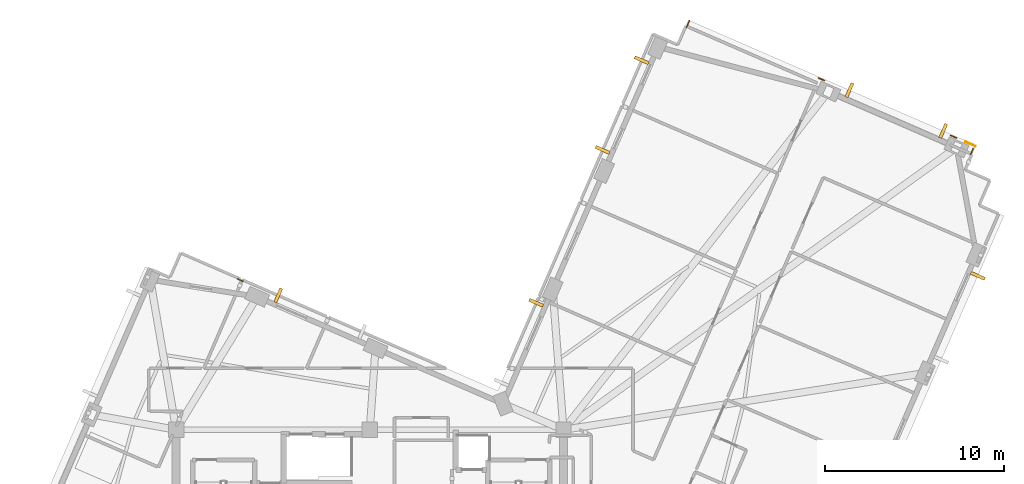
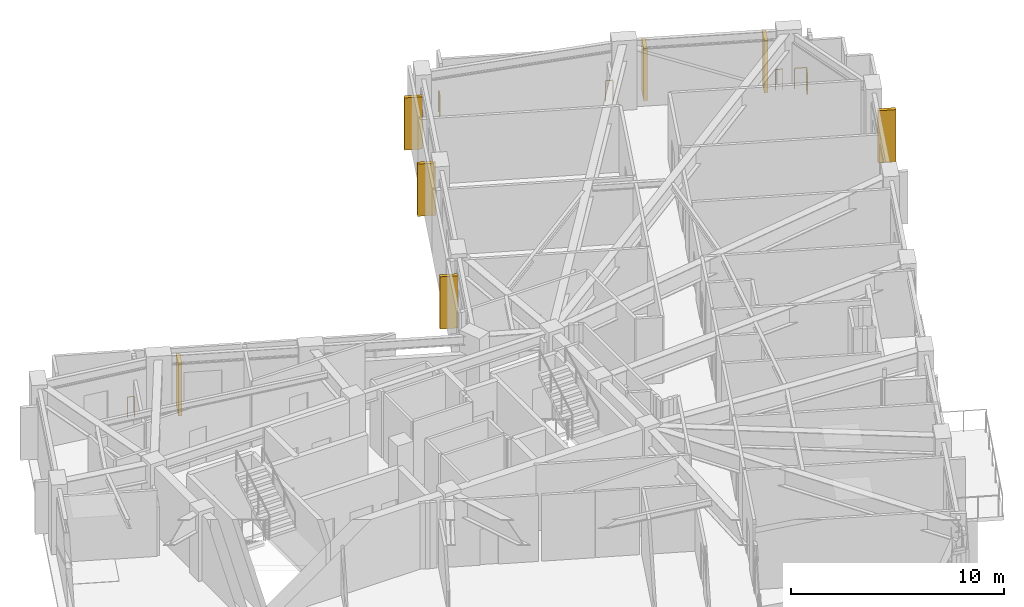
# One storey, part 12 of 12: 7 shading devices, 6 railings.
"""IFC4 building model written with IfcOpenShell, lengths in metres."""

from ifc_helpers import new_model, si_unit, direction, frame, origin, origin_2d, place, context, subcontext, project, spatial, rectangle, circle, extrude, material, layer, layer_set, type_object, element, save


model = new_model("IFC4")

# Units and contexts
model_context = context("Model", 3, precision=1e-05, world=origin(), true_north=direction((0.0, 1.0)))
body_context = subcontext(model_context, "Body", "Model", "MODEL_VIEW")
ifc_project = project(units=[si_unit("LENGTHUNIT", "METRE"), si_unit("AREAUNIT", "SQUARE_METRE"), si_unit("VOLUMEUNIT", "CUBIC_METRE"), si_unit("PLANEANGLEUNIT", "RADIAN"), si_unit("MASSUNIT", "GRAM", prefix="KILO")], contexts=[model_context])

# Site, building, storey
site_placement = place(None, origin())
site = spatial("IfcSite", under=ifc_project, at=site_placement, CompositionType="ELEMENT")
building_placement = place(site_placement, origin())
building = spatial("IfcBuilding", under=site, at=building_placement, Name="Gaonmaruhae Medical Tower", CompositionType="ELEMENT")
storey_placement = place(building_placement, frame((0.0, 0.0, 320.60009765625)))
storey = spatial("IfcBuildingStorey", under=building, at=storey_placement, Name="L77", CompositionType="ELEMENT", Elevation=320.60009765625)

# Railings
ifc_material_1 = material(Name="Stainless steel 316L and laminated safety glass", Category="steel")
ifc_layer = layer(ifc_material_1, 0.080078125)
ifc_layer_set = layer_set([ifc_layer], Name="Stainless steel 316L and laminated safety glass")
railing_type = type_object("IfcRailingType", Name="GD-120 Outdoor Terrace Safety Glass & Steel Balustrade", PredefinedType="BALUSTRADE", material=ifc_layer_set)
railing_1_placement = place(storey_placement, frame((17.418212890625, 25.217041015625, 0.0)))
element("IfcRailing", 1, at=railing_1_placement, inside=storey, type_object=railing_type, Name="L77 Perimeter Slab Edge Safety Balustrade 07", PredefinedType="BALUSTRADE", context=body_context, shape_type="SweptSolid", body=[
    extrude(circle(Radius=0.02392578125, at=origin_2d()), frame((0.0, 0.0, 1.17578125), z_axis=(0.917196011986, -0.398436288003, 0.0), x_axis=(0.398436288003, 0.917196011986, 0.0)), (0.0, 0.0, 1.0), 0.3388671875),
    extrude(circle(Radius=0.02099609375, at=origin_2d()), origin(), (0.0, 0.0, 1.0), 1.15185546875),
    extrude(circle(Radius=0.02099609375, at=origin_2d()), frame((0.310791015625, -0.135009765625, 0.0)), (0.0, 0.0, 1.0), 1.15185546875),
])
railing_2_placement = place(storey_placement, frame((42.467041015625, 39.249267578125, 0.0)))
element("IfcRailing", 2, at=railing_2_placement, inside=storey, type_object=railing_type, Name="L77 Perimeter Slab Edge Safety Balustrade 08", PredefinedType="BALUSTRADE", context=body_context, shape_type="SweptSolid", body=[
    extrude(circle(Radius=0.02392578125, at=origin_2d()), frame((0.0, 0.0, 1.17578125), z_axis=(0.398408401045, 0.917208125769, 0.0), x_axis=(-0.917208125769, 0.398408401045, 0.0)), (0.0, 0.0, 1.0), 0.393310546875),
    extrude(circle(Radius=0.02099609375, at=origin_2d()), origin(), (0.0, 0.0, 1.0), 1.15185546875),
    extrude(circle(Radius=0.02099609375, at=origin_2d()), frame((0.15673828125, 0.36083984375, 0.0)), (0.0, 0.0, 1.0), 1.15185546875),
])
for number, where, name in (
    (3, (49.835693359375, 36.419921875, 0.0), "L77 Perimeter Slab Edge Safety Balustrade 09"),
    (4, (57.204833984375, 33.215576171875, 0.0), "L77 Perimeter Slab Edge Safety Balustrade 10"),
):
    element("IfcRailing", number, at=place(storey_placement, frame(where)), inside=storey, type_object=railing_type, Name=name, PredefinedType="BALUSTRADE", context=body_context, shape_type="SweptSolid", body=[
        extrude(circle(Radius=0.02392578125, at=origin_2d()), frame((0.0, 0.0, 1.17578125), z_axis=(0.917081518132, -0.398699748056, 0.0), x_axis=(0.398699748056, 0.917081518132, 0.0)), (0.0, 0.0, 1.0), 0.338623046875),
        extrude(circle(Radius=0.02099609375, at=origin_2d()), origin(), (0.0, 0.0, 1.0), 1.15185546875),
        extrude(circle(Radius=0.02099609375, at=origin_2d()), frame((0.310546875, -0.135009765625, 0.0)), (0.0, 0.0, 1.0), 1.15185546875),
    ])
railing_3_placement = place(storey_placement, frame((58.023681640625, 32.859619140625, 0.0)))
element("IfcRailing", 5, at=railing_3_placement, inside=storey, type_object=railing_type, Name="L77 Perimeter Slab Edge Safety Balustrade 11", PredefinedType="BALUSTRADE", context=body_context, shape_type="SweptSolid", body=[
    extrude(circle(Radius=0.02392578125, at=origin_2d()), frame((0.0, 0.0, 1.17578125), z_axis=(0.917076570838, -0.398711127536, 0.0), x_axis=(0.398711127536, 0.917076570838, 0.0)), (0.0, 0.0, 1.0), 0.595703125),
    extrude(circle(Radius=0.02099609375, at=origin_2d()), origin(), (0.0, 0.0, 1.0), 1.15185546875),
    extrude(circle(Radius=0.02099609375, at=origin_2d()), frame((0.54638671875, -0.237548828125, 0.0)), (0.0, 0.0, 1.0), 1.15185546875),
])
railing_4_placement = place(storey_placement, frame((58.451171875, 32.473876953125, 0.0)))
element("IfcRailing", 6, at=railing_4_placement, inside=storey, type_object=railing_type, Name="L77 Perimeter Slab Edge Safety Balustrade 12", PredefinedType="BALUSTRADE", context=body_context, shape_type="SweptSolid", body=[
    extrude(circle(Radius=0.02392578125, at=origin_2d()), frame((0.0, 0.0, 1.17578125), z_axis=(-0.39905399153, -0.916927429977, 0.0), x_axis=(0.916927429977, -0.39905399153, 0.0)), (0.0, 0.0, 1.0), 0.32666015625),
    extrude(circle(Radius=0.02099609375, at=origin_2d()), origin(), (0.0, 0.0, 1.0), 1.15185546875),
    extrude(circle(Radius=0.02099609375, at=origin_2d()), frame((-0.13037109375, -0.299560546875, 0.0)), (0.0, 0.0, 1.0), 1.15185546875),
])

# Shading devices
ifc_material_2 = material(Name="Pigmented coral precast concrete C45/55", Category="concrete")
shading_device_type = type_object("IfcShadingDeviceType", Name="SD-FIN1 Tower Vertical Coral Precast Shading Fin", PredefinedType="USERDEFINED", material=ifc_material_2)
for number, where, z_axis, x_axis, name in (
    (7, (58.712158203125, 25.3876953125, 0.122314453125), (0.0, 0.0, 1.0), (-0.398749068925, -0.917060074385, 0.0), "L77 Vertical Coral Precast Shading Fin S05"),
    (8, (51.55078125, 35.7451171875, 0.13232421875), (0.0, 0.0, 1.0), (0.917060074385, -0.398749068925, 0.0), "L77 Vertical Coral Precast Shading Fin E01"),
    (9, (56.782470703125, 33.47021484375, 0.13232421875), (0.0, 0.0, 1.0), (0.917060074385, -0.398749068925, 0.0), "L77 Vertical Coral Precast Shading Fin E01B"),
    (10, (37.786376953125, 32.4091796875, 0.13232421875), (0.0, 0.0, 1.0), (0.398765074582, 0.917053114761, 0.0), "L77 Vertical Coral Precast Shading Fin E03"),
    (11, (39.961669921875, 37.411865234375, 0.13232421875), (0.0, 0.0, 1.0), (0.398765074582, 0.917053114761, 0.0), "L77 Vertical Coral Precast Shading Fin E03B"),
    (12, (34.080078125, 23.885009765625, 0.13232421875), (0.0, 0.0, 1.0), (0.398749068925, 0.917060074385, 0.0), "L77 Vertical Coral Precast Shading Fin EN02B"),
    (13, (19.694091796875, 24.29833984375, 0.13232421875), (0.0, 0.0, 1.0), (0.917060074385, -0.398749068925, 0.0), "L77 Vertical Coral Precast Shading Fin NE01"),
):
    element("IfcShadingDevice", number, at=place(storey_placement, frame(where, z_axis=z_axis, x_axis=x_axis)), inside=storey, type_object=shading_device_type, Name=name, ObjectType="FIN", PredefinedType="USERDEFINED", context=body_context, shape_type="SweptSolid", body=[
        extrude(rectangle(XDim=0.179931640625, YDim=0.85009765625, at=origin_2d()), origin(), (0.0, 0.0, 1.0), 3.0),
    ])

save(model, "model.ifc")
